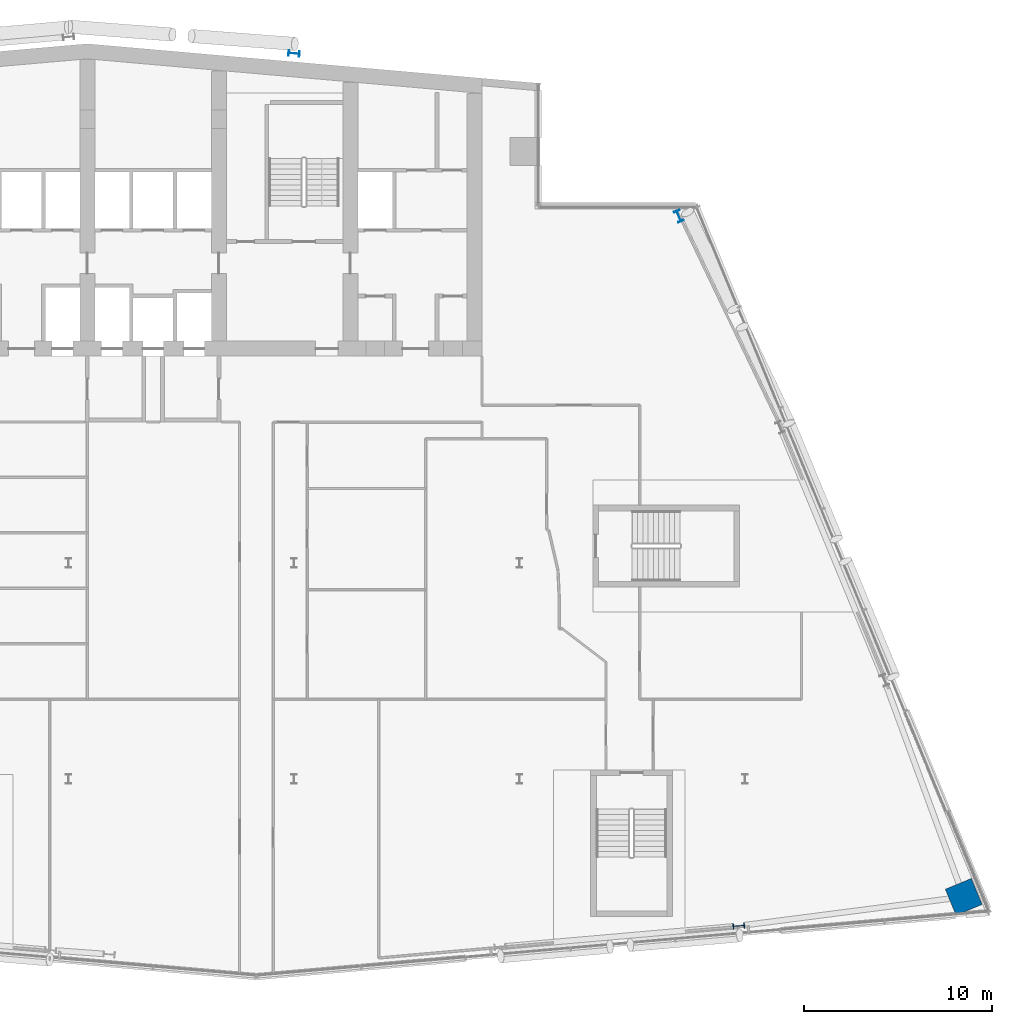
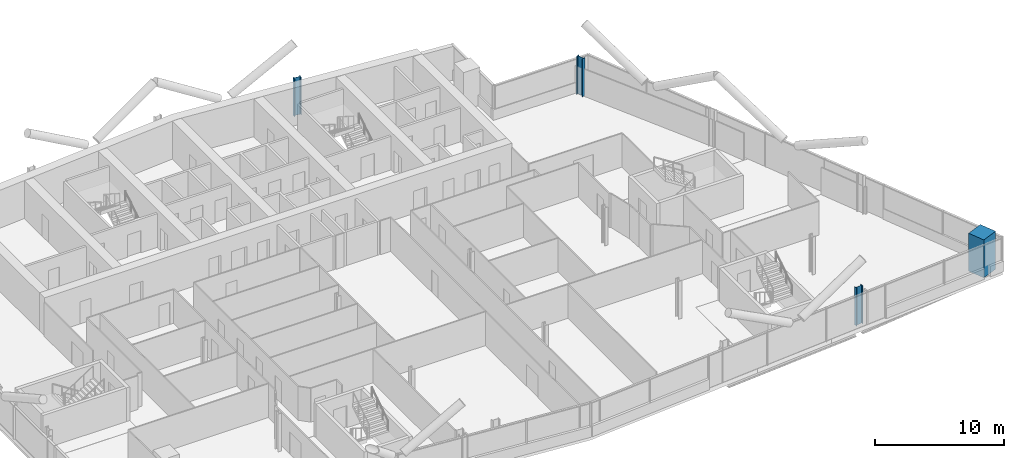
# One storey, part 4 of 26: 4 columns.
"""IFC4 building model written with IfcOpenShell, lengths in metres."""

from ifc_helpers import new_model, si_unit, direction, frame, origin, origin_2d, place, context, subcontext, project, spatial, rectangle, i_section, extrude, material, material_profile, profile_set, type_object, element, save


model = new_model("IFC4")

# Units and contexts
model_context = context("Model", 3, precision=1e-05, world=origin(), true_north=direction((0.0, 1.0)))
body_context = subcontext(model_context, "Body", "Model", "MODEL_VIEW")
ifc_project = project(units=[si_unit("LENGTHUNIT", "METRE"), si_unit("AREAUNIT", "SQUARE_METRE"), si_unit("VOLUMEUNIT", "CUBIC_METRE"), si_unit("PLANEANGLEUNIT", "RADIAN"), si_unit("MASSUNIT", "GRAM", prefix="KILO")], contexts=[model_context])

# Site, building, storey
site_placement = place(None, origin())
site = spatial("IfcSite", under=ifc_project, at=site_placement, CompositionType="ELEMENT")
building_placement = place(site_placement, origin())
building = spatial("IfcBuilding", under=site, at=building_placement, Name="Wharfspan Tower", CompositionType="ELEMENT")
storey_placement = place(building_placement, frame((0.0, 0.0, 173.5)))
storey = spatial("IfcBuildingStorey", under=building, at=storey_placement, Name="L42", CompositionType="ELEMENT", Elevation=173.5)

# Columns
ifc_material_1 = material(Name="Steel S355J2", Category="steel")
ifc_material_profile_1 = material_profile(ifc_material_1, i_section(OverallWidth=0.300049, OverallDepth=0.600098, WebThickness=0.015381, FlangeThickness=0.030029, FilletRadius=0.0271, at=origin_2d()))
ifc_profile_set_1 = profile_set([ifc_material_profile_1], Name="Steel S355J2")
column_type_1 = type_object("IfcColumnType", Name="Column HEB 600", PredefinedType="COLUMN", material=ifc_profile_set_1)
column_1_placement = place(storey_placement, frame((48.0, 50.112305, 0.0), z_axis=(0.0, 0.0, 1.0), x_axis=(0.087156, 0.996198, 0.0)))
element("IfcColumn", 1, at=column_1_placement, inside=storey, type_object=column_type_1, Name="Rear column R.3 L42", PredefinedType="COLUMN", context=body_context, shape_type="SweptSolid", body=[
    extrude(i_section(OverallWidth=0.300049, OverallDepth=0.600098, WebThickness=0.015381, FlangeThickness=0.030029, FilletRadius=0.0271, at=origin_2d()), origin(), (0.0, 0.0, 1.0), 3.600098),
])
ifc_material_profile_2 = material_profile(ifc_material_1, i_section(OverallWidth=0.304932, OverallDepth=0.620117, WebThickness=0.020996, FlangeThickness=0.040039, FilletRadius=0.0271, at=origin_2d()))
ifc_profile_set_2 = profile_set([ifc_material_profile_2], Name="Steel S355J2")
column_type_2 = type_object("IfcColumnType", Name="Column HEM 600", PredefinedType="COLUMN", material=ifc_profile_set_2)
for number, where, z_axis, x_axis, name in (
    (2, (71.661865, 3.684814, 0.0), (0.0, 0.0, 1.0), (0.087156, -0.996198, 0.0), "Perimeter column PS2.2 L42"),
    (3, (68.471924, 41.450439, 0.0), (0.0, 0.0, 1.0), (0.924325, 0.381602, 0.0), "Perimeter column PE.3 L42"),
):
    element("IfcColumn", number, at=place(storey_placement, frame(where, z_axis=z_axis, x_axis=x_axis)), inside=storey, type_object=column_type_2, Name=name, PredefinedType="COLUMN", context=body_context, shape_type="SweptSolid", body=[
        extrude(i_section(OverallWidth=0.304932, OverallDepth=0.620117, WebThickness=0.020996, FlangeThickness=0.040039, FilletRadius=0.0271, at=origin_2d()), origin(), (0.0, 0.0, 1.0), 3.600098),
    ])
ifc_material_2 = material(Name="Concrete C60/75", Category="concrete")
ifc_material_profile_3 = material_profile(ifc_material_2, rectangle(XDim=1.5, YDim=1.5, at=origin_2d()))
ifc_profile_set_3 = profile_set([ifc_material_profile_3], Name="Concrete C60/75")
column_type_3 = type_object("IfcColumnType", Name="Mega column 1500 C60/75", PredefinedType="COLUMN", material=ifc_profile_set_3)
column_2_placement = place(storey_placement, frame((83.632568, 5.230713, 0.0), z_axis=(0.0, 0.0, 1.0), x_axis=(-0.381602, 0.924325, 0.0)))
element("IfcColumn", 4, at=column_2_placement, inside=storey, type_object=column_type_3, Name="Mega column MC4 L42", PredefinedType="COLUMN", context=body_context, shape_type="SweptSolid", body=[
    extrude(rectangle(XDim=1.5, YDim=1.5, at=origin_2d()), origin(), (0.0, 0.0, 1.0), 3.600098),
])

save(model, "model.ifc")
